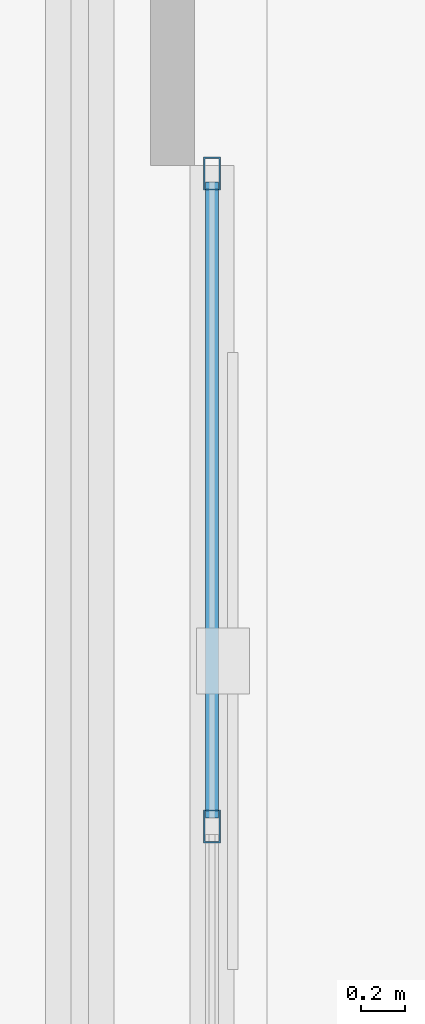
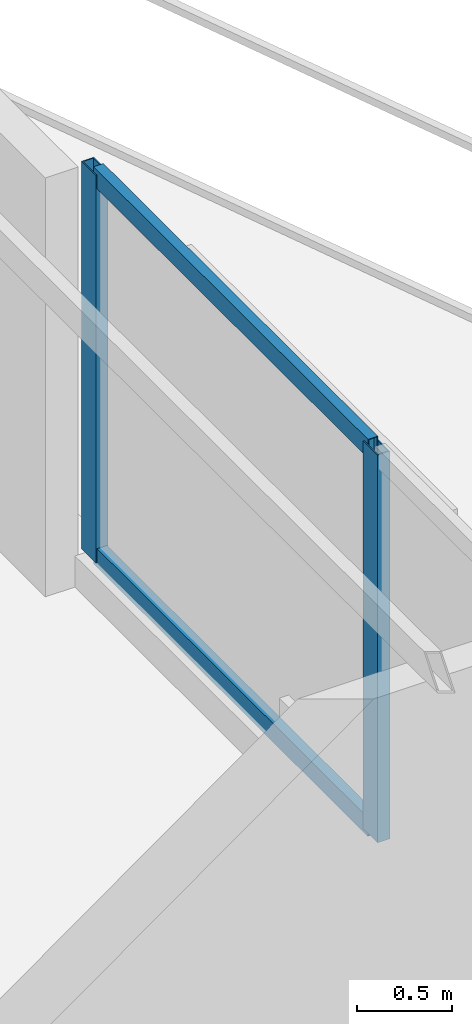
# One storey, part 13 of 21: 4 members, 1 element without a shape of its own.
"""IFC4 building model written with IfcOpenShell, lengths in metres."""

from ifc_helpers import new_model, si_unit, direction, frame, origin, origin_2d, place, context, subcontext, project, spatial, hollow_rectangle, extrude, material, layer, layer_set, material_profile, profile_set, type_object, element, aggregate, save


model = new_model("IFC4")

# Units and contexts
model_context = context("Model", 3, precision=1e-05, world=origin(), true_north=direction((0.0, 1.0)))
body_context = subcontext(model_context, "Body", "Model", "MODEL_VIEW")
ifc_project = project(units=[si_unit("LENGTHUNIT", "METRE"), si_unit("AREAUNIT", "SQUARE_METRE"), si_unit("VOLUMEUNIT", "CUBIC_METRE"), si_unit("PLANEANGLEUNIT", "RADIAN"), si_unit("MASSUNIT", "GRAM", prefix="KILO")], contexts=[model_context])

# Site, building, storey
site_placement = place(None, origin())
site = spatial("IfcSite", under=ifc_project, at=site_placement, CompositionType="ELEMENT")
building_placement = place(site_placement, origin())
building = spatial("IfcBuilding", under=site, at=building_placement, Name="Mersakhor Tower and Convention Hall", CompositionType="ELEMENT")
storey_placement = place(building_placement, frame((0.0, 0.0, 182.10009765625)))
storey = spatial("IfcBuildingStorey", under=building, at=storey_placement, Name="L50", CompositionType="ELEMENT", Elevation=182.10009765625)

# Curtain wall, members
ifc_material_1 = material(Name="Dark solar low-E aluminium curtain wall", Category="aluminium")
ifc_layer = layer(ifc_material_1, 0.169921875)
ifc_layer_set = layer_set([ifc_layer], Name="Dark solar low-E aluminium curtain wall")
curtain_wall_type = type_object("IfcCurtainWallType", Name="CW-SYS-02", PredefinedType="USERDEFINED", material=ifc_layer_set)
curtain_wall_placement = place(storey_placement, origin())
curtain_wall = element("IfcCurtainWall", 1, at=curtain_wall_placement, inside=storey, type_object=curtain_wall_type, Name="L50 Dark-Glass Curtain Wall F2-B2", ObjectType="CURTAIN WALL", PredefinedType="USERDEFINED")
ifc_material_2 = material(Name="Anodised aluminium EN AW-6063 T6", Category="aluminium")
ifc_material_profile_1 = material_profile(ifc_material_2, hollow_rectangle(XDim=0.074951171875, YDim=0.14990234375, WallThickness=0.00634765625, at=origin_2d()), Name="RHS 150x75x6.3")
ifc_profile_set_1 = profile_set([ifc_material_profile_1], Name="Anodised aluminium EN AW-6063 T6")
member_type_1 = type_object("IfcMemberType", Name="CWM-150x75", PredefinedType="MULLION", material=ifc_profile_set_1)
member_1_placement = place(storey_placement, frame((40.58837890625, 31.2119140625, 0.199951171875), z_axis=(0.0, 0.0, 1.0), x_axis=(1.0, 0.0, 0.0)))
member_1 = element("IfcMember", 2, at=member_1_placement, type_object=member_type_1, Name="CW-02 mullion 1", PredefinedType="MULLION", context=body_context, shape_type="SweptSolid", body=[
    extrude(hollow_rectangle(XDim=0.074951171875, YDim=0.14990234375, WallThickness=0.00634765625, at=origin_2d()), origin(), (0.0, 0.0, 1.0), 2.489990234375),
])
member_2_placement = place(storey_placement, frame((40.58837890625, 28.249755859375, 0.199951171875), z_axis=(0.0, 0.0, 1.0), x_axis=(1.0, 0.0, 0.0)))
member_2 = element("IfcMember", 3, at=member_2_placement, type_object=member_type_1, Name="CW-02 mullion 2", PredefinedType="MULLION", context=body_context, shape_type="SweptSolid", body=[
    extrude(hollow_rectangle(XDim=0.074951171875, YDim=0.14990234375, WallThickness=0.00634765625, at=origin_2d()), origin(), (0.0, 0.0, 1.0), 2.489990234375),
])
ifc_material_3 = material(Name="Anodised aluminium EN AW-6063 T6", Category="aluminium")
ifc_material_profile_2 = material_profile(ifc_material_3, hollow_rectangle(XDim=0.06005859375, YDim=0.1201171875, WallThickness=0.0048828125, at=origin_2d()), Name="RHS 120x60x5")
ifc_profile_set_2 = profile_set([ifc_material_profile_2], Name="Anodised aluminium EN AW-6063 T6")
member_type_2 = type_object("IfcMemberType", Name="CWT-120x60", PredefinedType="USERDEFINED", material=ifc_profile_set_2)
member_3_placement = place(storey_placement, frame((40.58837890625, 31.174560546875, 0.22998046875), z_axis=(0.0, -1.0, 0.0), x_axis=(1.0, 0.0, 0.0)))
member_3 = element("IfcMember", 4, at=member_3_placement, type_object=member_type_2, Name="CW-02 transom 1.1", ObjectType="TRANSOM", PredefinedType="USERDEFINED", context=body_context, shape_type="SweptSolid", body=[
    extrude(hollow_rectangle(XDim=0.06005859375, YDim=0.1201171875, WallThickness=0.0048828125, at=origin_2d()), origin(), (0.0, 0.0, 1.0), 2.88720703125),
])
member_4_placement = place(storey_placement, frame((40.58837890625, 31.174560546875, 2.659912109375), z_axis=(0.0, -1.0, 0.0), x_axis=(1.0, 0.0, 0.0)))
member_4 = element("IfcMember", 5, at=member_4_placement, type_object=member_type_2, Name="CW-02 transom 1.2", ObjectType="TRANSOM", PredefinedType="USERDEFINED", context=body_context, shape_type="SweptSolid", body=[
    extrude(hollow_rectangle(XDim=0.06005859375, YDim=0.1201171875, WallThickness=0.0048828125, at=origin_2d()), origin(), (0.0, 0.0, 1.0), 2.88720703125),
])
aggregate(curtain_wall, [member_1, member_2, member_3, member_4])

save(model, "model.ifc")
